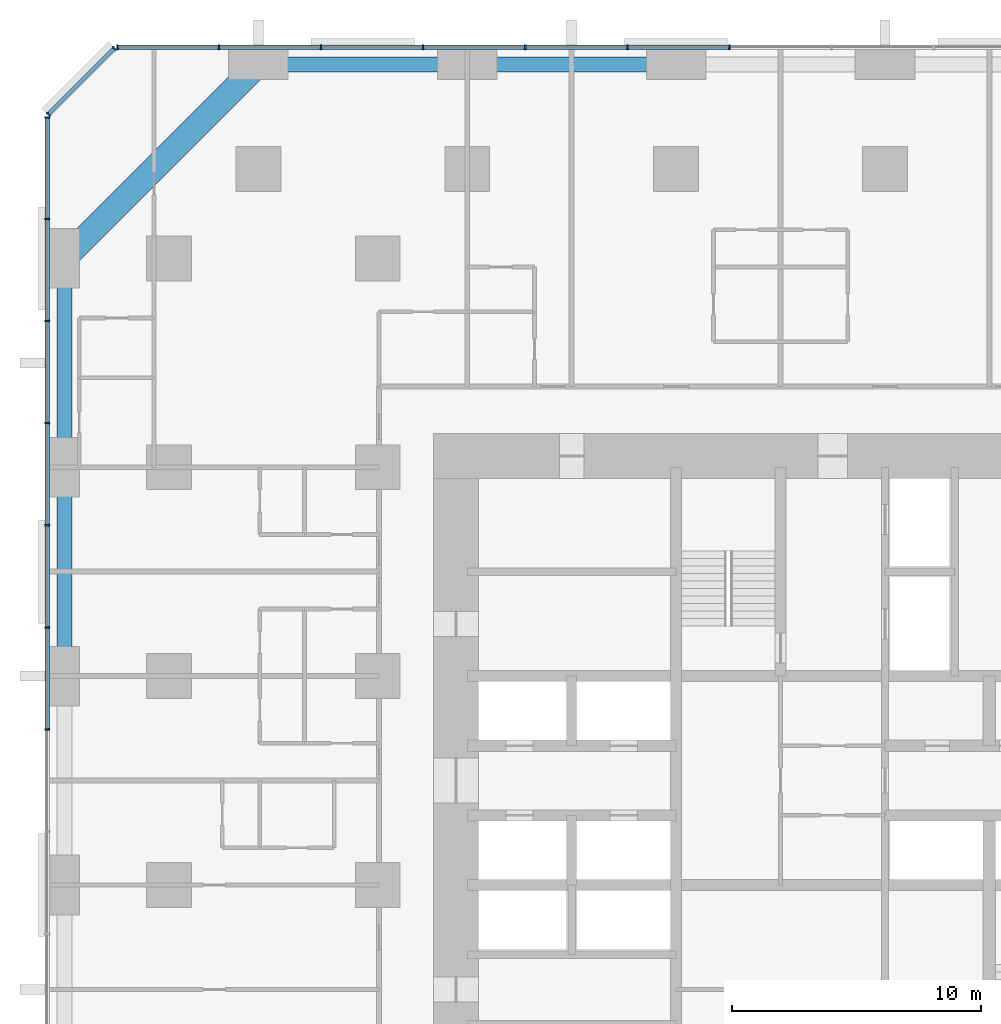
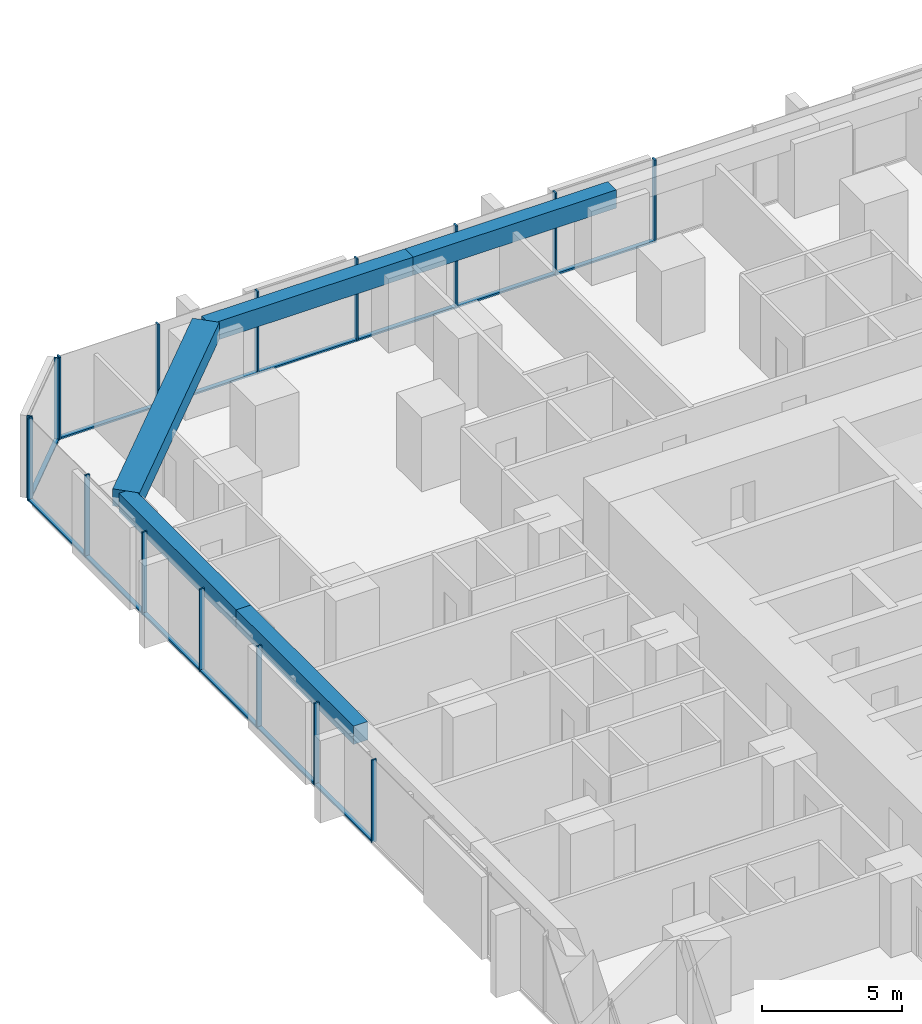
# One storey, part 6 of 17: 29 members, 5 beams, 3 elements without a shape of their own.
"""IFC4 building model written with IfcOpenShell, lengths in metres."""

from ifc_helpers import new_model, si_unit, direction, frame, origin, origin_2d, place, context, subcontext, project, spatial, rectangle, extrude, material, material_profile, profile_set, type_object, element, aggregate, save


model = new_model("IFC4")

# Units and contexts
model_context = context("Model", 3, precision=1e-05, world=origin(), true_north=direction((0.0, 1.0)))
body_context = subcontext(model_context, "Body", "Model", "MODEL_VIEW")
ifc_project = project(units=[si_unit("LENGTHUNIT", "METRE"), si_unit("AREAUNIT", "SQUARE_METRE"), si_unit("VOLUMEUNIT", "CUBIC_METRE"), si_unit("PLANEANGLEUNIT", "RADIAN"), si_unit("MASSUNIT", "GRAM", prefix="KILO")], contexts=[model_context])

# Site, building, storey
site_placement = place(None, origin())
site = spatial("IfcSite", under=ifc_project, at=site_placement, CompositionType="ELEMENT")
building_placement = place(site_placement, origin())
building = spatial("IfcBuilding", under=site, at=building_placement, Name="Dunama Terrace Hotel", CompositionType="ELEMENT")
storey_placement = place(building_placement, frame((0.0, 0.0, 34.199951171875)))
storey = spatial("IfcBuildingStorey", under=building, at=storey_placement, Name="L07", CompositionType="ELEMENT", Elevation=34.199951171875)

# Curtain wall, members
ifc_material_1 = material(Name="Aluminium curtain wall system", Category="aluminium")
curtain_wall_type = type_object("IfcCurtainWallType", Name="Unitised fritted glass wall CW-A", PredefinedType="NOTDEFINED", material=ifc_material_1)
curtain_wall_1_placement = place(storey_placement, origin())
curtain_wall_1 = element("IfcCurtainWall", 1, at=curtain_wall_1_placement, inside=storey, type_object=curtain_wall_type, Name="Unitised fritted glass wall CW-A L07", PredefinedType="NOTDEFINED")
ifc_material_2 = material(Name="Aluminium mullion", Category="aluminium")
ifc_material_profile_1 = material_profile(ifc_material_2, rectangle(XDim=0.06494140625, YDim=0.199951171875, at=origin_2d()), Name="CWA MULLION 65X200")
ifc_profile_set_1 = profile_set([ifc_material_profile_1], Name="Aluminium mullion")
member_type_1 = type_object("IfcMemberType", Name="CWA mullion 65x200", PredefinedType="MULLION", material=ifc_profile_set_1)
member_1_placement = place(storey_placement, frame((27.345947265625, 58.89990234375, 0.0), z_axis=(0.0, 0.0, 1.0), x_axis=(-1.0, 0.0, 0.0)))
member_1 = element("IfcMember", 2, at=member_1_placement, type_object=member_type_1, Name="CWA mullion", PredefinedType="MULLION", context=body_context, shape_type="SweptSolid", body=[
    extrude(rectangle(XDim=0.06494140625, YDim=0.199951171875, at=origin_2d()), origin(), (0.0, 0.0, 1.0), 3.60009765625),
])
member_2_placement = place(storey_placement, frame((23.238037109375, 58.89990234375, 0.0), z_axis=(0.0, 0.0, 1.0), x_axis=(-1.0, 0.0, 0.0)))
member_2 = element("IfcMember", 3, at=member_2_placement, type_object=member_type_1, Name="CWA mullion", PredefinedType="MULLION", context=body_context, shape_type="SweptSolid", body=[
    extrude(rectangle(XDim=0.06494140625, YDim=0.199951171875, at=origin_2d()), origin(), (0.0, 0.0, 1.0), 3.60009765625),
])
member_3_placement = place(storey_placement, frame((19.131103515625, 58.89990234375, 0.0), z_axis=(0.0, 0.0, 1.0), x_axis=(-1.0, 0.0, 0.0)))
member_3 = element("IfcMember", 4, at=member_3_placement, type_object=member_type_1, Name="CWA mullion", PredefinedType="MULLION", context=body_context, shape_type="SweptSolid", body=[
    extrude(rectangle(XDim=0.06494140625, YDim=0.199951171875, at=origin_2d()), origin(), (0.0, 0.0, 1.0), 3.60009765625),
])
member_4_placement = place(storey_placement, frame((15.02294921875, 58.89990234375, 0.0), z_axis=(0.0, 0.0, 1.0), x_axis=(-1.0, 0.0, 0.0)))
member_4 = element("IfcMember", 5, at=member_4_placement, type_object=member_type_1, Name="CWA mullion", PredefinedType="MULLION", context=body_context, shape_type="SweptSolid", body=[
    extrude(rectangle(XDim=0.06494140625, YDim=0.199951171875, at=origin_2d()), origin(), (0.0, 0.0, 1.0), 3.60009765625),
])
member_5_placement = place(storey_placement, frame((10.9150390625, 58.89990234375, 0.0), z_axis=(0.0, 0.0, 1.0), x_axis=(-1.0, 0.0, 0.0)))
member_5 = element("IfcMember", 6, at=member_5_placement, type_object=member_type_1, Name="CWA mullion", PredefinedType="MULLION", context=body_context, shape_type="SweptSolid", body=[
    extrude(rectangle(XDim=0.06494140625, YDim=0.199951171875, at=origin_2d()), origin(), (0.0, 0.0, 1.0), 3.60009765625),
])
member_6_placement = place(storey_placement, frame((6.80810546875, 58.89990234375, 0.0), z_axis=(0.0, 0.0, 1.0), x_axis=(-1.0, 0.0, 0.0)))
member_6 = element("IfcMember", 7, at=member_6_placement, type_object=member_type_1, Name="CWA mullion", PredefinedType="MULLION", context=body_context, shape_type="SweptSolid", body=[
    extrude(rectangle(XDim=0.06494140625, YDim=0.199951171875, at=origin_2d()), origin(), (0.0, 0.0, 1.0), 3.60009765625),
])
member_7_placement = place(storey_placement, frame((2.73291015625, 58.89990234375, 0.0), z_axis=(0.0, 0.0, 1.0), x_axis=(-1.0, 0.0, 0.0)))
member_7 = element("IfcMember", 8, at=member_7_placement, type_object=member_type_1, Name="CWA mullion", PredefinedType="MULLION", context=body_context, shape_type="SweptSolid", body=[
    extrude(rectangle(XDim=0.06494140625, YDim=0.199951171875, at=origin_2d()), origin(), (0.0, 0.0, 1.0), 3.60009765625),
])

curtain_wall_2_placement = place(storey_placement, origin())
curtain_wall_2 = element("IfcCurtainWall", 9, at=curtain_wall_2_placement, inside=storey, type_object=curtain_wall_type, Name="Unitised fritted glass wall CW-A L07", PredefinedType="NOTDEFINED")
member_8_placement = place(storey_placement, frame((2.60595703125, 58.847900390625, 0.0), z_axis=(0.0, 0.0, 1.0), x_axis=(-0.707106781187, -0.707106781187, 0.0)))
member_8 = element("IfcMember", 10, at=member_8_placement, type_object=member_type_1, Name="CWA mullion", PredefinedType="MULLION", context=body_context, shape_type="SweptSolid", body=[
    extrude(rectangle(XDim=0.06494140625, YDim=0.199951171875, at=origin_2d()), origin(), (0.0, 0.0, 1.0), 3.60009765625),
])
member_9_placement = place(storey_placement, frame((-0.048095703125, 56.194091796875, 0.0), z_axis=(0.0, 0.0, 1.0), x_axis=(-0.707106781187, -0.707106781187, 0.0)))
member_9 = element("IfcMember", 11, at=member_9_placement, type_object=member_type_1, Name="CWA mullion", PredefinedType="MULLION", context=body_context, shape_type="SweptSolid", body=[
    extrude(rectangle(XDim=0.06494140625, YDim=0.199951171875, at=origin_2d()), origin(), (0.0, 0.0, 1.0), 3.60009765625),
])

curtain_wall_3_placement = place(storey_placement, origin())
curtain_wall_3 = element("IfcCurtainWall", 12, at=curtain_wall_3_placement, inside=storey, type_object=curtain_wall_type, Name="Unitised fritted glass wall CW-A L07", PredefinedType="NOTDEFINED")
member_10_placement = place(storey_placement, frame((-0.10009765625, 56.06689453125, 0.0), z_axis=(0.0, 0.0, 1.0), x_axis=(0.0, -1.0, 0.0)))
member_10 = element("IfcMember", 13, at=member_10_placement, type_object=member_type_1, Name="CWA mullion", PredefinedType="MULLION", context=body_context, shape_type="SweptSolid", body=[
    extrude(rectangle(XDim=0.06494140625, YDim=0.199951171875, at=origin_2d()), origin(), (0.0, 0.0, 1.0), 3.60009765625),
])
member_11_placement = place(storey_placement, frame((-0.10009765625, 51.991943359375, 0.0), z_axis=(0.0, 0.0, 1.0), x_axis=(0.0, -1.0, 0.0)))
member_11 = element("IfcMember", 14, at=member_11_placement, type_object=member_type_1, Name="CWA mullion", PredefinedType="MULLION", context=body_context, shape_type="SweptSolid", body=[
    extrude(rectangle(XDim=0.06494140625, YDim=0.199951171875, at=origin_2d()), origin(), (0.0, 0.0, 1.0), 3.60009765625),
])
member_12_placement = place(storey_placement, frame((-0.10009765625, 47.885009765625, 0.0), z_axis=(0.0, 0.0, 1.0), x_axis=(0.0, -1.0, 0.0)))
member_12 = element("IfcMember", 15, at=member_12_placement, type_object=member_type_1, Name="CWA mullion", PredefinedType="MULLION", context=body_context, shape_type="SweptSolid", body=[
    extrude(rectangle(XDim=0.06494140625, YDim=0.199951171875, at=origin_2d()), origin(), (0.0, 0.0, 1.0), 3.60009765625),
])
member_13_placement = place(storey_placement, frame((-0.10009765625, 43.777099609375, 0.0), z_axis=(0.0, 0.0, 1.0), x_axis=(0.0, -1.0, 0.0)))
member_13 = element("IfcMember", 16, at=member_13_placement, type_object=member_type_1, Name="CWA mullion", PredefinedType="MULLION", context=body_context, shape_type="SweptSolid", body=[
    extrude(rectangle(XDim=0.06494140625, YDim=0.199951171875, at=origin_2d()), origin(), (0.0, 0.0, 1.0), 3.60009765625),
])
member_14_placement = place(storey_placement, frame((-0.10009765625, 39.6689453125, 0.0), z_axis=(0.0, 0.0, 1.0), x_axis=(0.0, -1.0, 0.0)))
member_14 = element("IfcMember", 17, at=member_14_placement, type_object=member_type_1, Name="CWA mullion", PredefinedType="MULLION", context=body_context, shape_type="SweptSolid", body=[
    extrude(rectangle(XDim=0.06494140625, YDim=0.199951171875, at=origin_2d()), origin(), (0.0, 0.0, 1.0), 3.60009765625),
])
member_15_placement = place(storey_placement, frame((-0.10009765625, 35.56201171875, 0.0), z_axis=(0.0, 0.0, 1.0), x_axis=(0.0, -1.0, 0.0)))
member_15 = element("IfcMember", 18, at=member_15_placement, type_object=member_type_1, Name="CWA mullion", PredefinedType="MULLION", context=body_context, shape_type="SweptSolid", body=[
    extrude(rectangle(XDim=0.06494140625, YDim=0.199951171875, at=origin_2d()), origin(), (0.0, 0.0, 1.0), 3.60009765625),
])
member_16_placement = place(storey_placement, frame((-0.10009765625, 31.4541015625, 0.0), z_axis=(0.0, 0.0, 1.0), x_axis=(0.0, -1.0, 0.0)))
member_16 = element("IfcMember", 19, at=member_16_placement, type_object=member_type_1, Name="CWA mullion", PredefinedType="MULLION", context=body_context, shape_type="SweptSolid", body=[
    extrude(rectangle(XDim=0.06494140625, YDim=0.199951171875, at=origin_2d()), origin(), (0.0, 0.0, 1.0), 3.60009765625),
])

# Member
ifc_material_3 = material(Name="Aluminium transom", Category="aluminium")
ifc_material_profile_2 = material_profile(ifc_material_3, rectangle(XDim=0.179931640625, YDim=0.074951171875, at=origin_2d()), Name="CWA TRANSOM 180X75")
ifc_profile_set_2 = profile_set([ifc_material_profile_2], Name="Aluminium transom")
member_type_2 = type_object("IfcMemberType", Name="CWA transom 180x75", PredefinedType="USERDEFINED", material=ifc_profile_set_2)
member_17_placement = place(storey_placement, frame((27.31396484375, 58.89990234375, 0.03759765625), z_axis=(-1.0, 0.0, 0.0), x_axis=(0.0, -1.0, 0.0)))
member_17 = element("IfcMember", 20, at=member_17_placement, type_object=member_type_2, Name="CWA transom", ObjectType="TRANSOM", PredefinedType="USERDEFINED", context=body_context, shape_type="SweptSolid", body=[
    extrude(rectangle(XDim=0.179931640625, YDim=0.074951171875, at=origin_2d()), origin(), (0.0, 0.0, 1.0), 4.04296875),
])

member_18_placement = place(storey_placement, frame((23.2060546875, 58.89990234375, 0.03759765625), z_axis=(-1.0, 0.0, 0.0), x_axis=(0.0, -1.0, 0.0)))
member_18 = element("IfcMember", 21, at=member_18_placement, type_object=member_type_2, Name="CWA transom", ObjectType="TRANSOM", PredefinedType="USERDEFINED", context=body_context, shape_type="SweptSolid", body=[
    extrude(rectangle(XDim=0.179931640625, YDim=0.074951171875, at=origin_2d()), origin(), (0.0, 0.0, 1.0), 4.04296875),
])

member_19_placement = place(storey_placement, frame((19.097900390625, 58.89990234375, 0.03759765625), z_axis=(-1.0, 0.0, 0.0), x_axis=(0.0, -1.0, 0.0)))
member_19 = element("IfcMember", 22, at=member_19_placement, type_object=member_type_2, Name="CWA transom", ObjectType="TRANSOM", PredefinedType="USERDEFINED", context=body_context, shape_type="SweptSolid", body=[
    extrude(rectangle(XDim=0.179931640625, YDim=0.074951171875, at=origin_2d()), origin(), (0.0, 0.0, 1.0), 4.0419921875),
])

member_20_placement = place(storey_placement, frame((14.990966796875, 58.89990234375, 0.03759765625), z_axis=(-1.0, 0.0, 0.0), x_axis=(0.0, -1.0, 0.0)))
member_20 = element("IfcMember", 23, at=member_20_placement, type_object=member_type_2, Name="CWA transom", ObjectType="TRANSOM", PredefinedType="USERDEFINED", context=body_context, shape_type="SweptSolid", body=[
    extrude(rectangle(XDim=0.179931640625, YDim=0.074951171875, at=origin_2d()), origin(), (0.0, 0.0, 1.0), 4.04296875),
])

member_21_placement = place(storey_placement, frame((10.883056640625, 58.89990234375, 0.03759765625), z_axis=(-1.0, 0.0, 0.0), x_axis=(0.0, -1.0, 0.0)))
member_21 = element("IfcMember", 24, at=member_21_placement, type_object=member_type_2, Name="CWA transom", ObjectType="TRANSOM", PredefinedType="USERDEFINED", context=body_context, shape_type="SweptSolid", body=[
    extrude(rectangle(XDim=0.179931640625, YDim=0.074951171875, at=origin_2d()), origin(), (0.0, 0.0, 1.0), 4.04296875),
])

member_22_placement = place(storey_placement, frame((6.77490234375, 58.89990234375, 0.03759765625), z_axis=(-1.0, 0.0, 0.0), x_axis=(0.0, -1.0, 0.0)))
member_22 = element("IfcMember", 25, at=member_22_placement, type_object=member_type_2, Name="CWA transom", ObjectType="TRANSOM", PredefinedType="USERDEFINED", context=body_context, shape_type="SweptSolid", body=[
    extrude(rectangle(XDim=0.179931640625, YDim=0.074951171875, at=origin_2d()), origin(), (0.0, 0.0, 1.0), 4.010009765625),
])

aggregate(curtain_wall_1, [member_1, member_2, member_3, member_4, member_5, member_6, member_7, member_17, member_18, member_19, member_20, member_21, member_22])

member_23_placement = place(storey_placement, frame((2.5830078125, 58.824951171875, 0.03759765625), z_axis=(-0.707106781187, -0.707106781187, 0.0), x_axis=(0.707106781187, -0.707106781187, 0.0)))
member_23 = element("IfcMember", 26, at=member_23_placement, type_object=member_type_2, Name="CWA transom", ObjectType="TRANSOM", PredefinedType="USERDEFINED", context=body_context, shape_type="SweptSolid", body=[
    extrude(rectangle(XDim=0.179931640625, YDim=0.074951171875, at=origin_2d()), origin(), (0.0, 0.0, 1.0), 3.688232421875),
])

aggregate(curtain_wall_2, [member_8, member_9, member_23])

member_24_placement = place(storey_placement, frame((-0.10009765625, 56.034912109375, 0.03759765625), z_axis=(0.0, -1.0, 0.0), x_axis=(1.0, 0.0, 0.0)))
member_24 = element("IfcMember", 27, at=member_24_placement, type_object=member_type_2, Name="CWA transom", ObjectType="TRANSOM", PredefinedType="USERDEFINED", context=body_context, shape_type="SweptSolid", body=[
    extrude(rectangle(XDim=0.179931640625, YDim=0.074951171875, at=origin_2d()), origin(), (0.0, 0.0, 1.0), 4.010009765625),
])

member_25_placement = place(storey_placement, frame((-0.10009765625, 51.9599609375, 0.03759765625), z_axis=(0.0, -1.0, 0.0), x_axis=(1.0, 0.0, 0.0)))
member_25 = element("IfcMember", 28, at=member_25_placement, type_object=member_type_2, Name="CWA transom", ObjectType="TRANSOM", PredefinedType="USERDEFINED", context=body_context, shape_type="SweptSolid", body=[
    extrude(rectangle(XDim=0.179931640625, YDim=0.074951171875, at=origin_2d()), origin(), (0.0, 0.0, 1.0), 4.04296875),
])

member_26_placement = place(storey_placement, frame((-0.10009765625, 47.85205078125, 0.03759765625), z_axis=(0.0, -1.0, 0.0), x_axis=(1.0, 0.0, 0.0)))
member_26 = element("IfcMember", 29, at=member_26_placement, type_object=member_type_2, Name="CWA transom", ObjectType="TRANSOM", PredefinedType="USERDEFINED", context=body_context, shape_type="SweptSolid", body=[
    extrude(rectangle(XDim=0.179931640625, YDim=0.074951171875, at=origin_2d()), origin(), (0.0, 0.0, 1.0), 4.04296875),
])

member_27_placement = place(storey_placement, frame((-0.10009765625, 43.743896484375, 0.03759765625), z_axis=(0.0, -1.0, 0.0), x_axis=(1.0, 0.0, 0.0)))
member_27 = element("IfcMember", 30, at=member_27_placement, type_object=member_type_2, Name="CWA transom", ObjectType="TRANSOM", PredefinedType="USERDEFINED", context=body_context, shape_type="SweptSolid", body=[
    extrude(rectangle(XDim=0.179931640625, YDim=0.074951171875, at=origin_2d()), origin(), (0.0, 0.0, 1.0), 4.0419921875),
])

member_28_placement = place(storey_placement, frame((-0.10009765625, 39.636962890625, 0.03759765625), z_axis=(0.0, -1.0, 0.0), x_axis=(1.0, 0.0, 0.0)))
member_28 = element("IfcMember", 31, at=member_28_placement, type_object=member_type_2, Name="CWA transom", ObjectType="TRANSOM", PredefinedType="USERDEFINED", context=body_context, shape_type="SweptSolid", body=[
    extrude(rectangle(XDim=0.179931640625, YDim=0.074951171875, at=origin_2d()), origin(), (0.0, 0.0, 1.0), 4.04296875),
])

member_29_placement = place(storey_placement, frame((-0.10009765625, 35.529052734375, 0.03759765625), z_axis=(0.0, -1.0, 0.0), x_axis=(1.0, 0.0, 0.0)))
member_29 = element("IfcMember", 32, at=member_29_placement, type_object=member_type_2, Name="CWA transom", ObjectType="TRANSOM", PredefinedType="USERDEFINED", context=body_context, shape_type="SweptSolid", body=[
    extrude(rectangle(XDim=0.179931640625, YDim=0.074951171875, at=origin_2d()), origin(), (0.0, 0.0, 1.0), 4.04296875),
])

aggregate(curtain_wall_3, [member_10, member_11, member_12, member_13, member_14, member_15, member_16, member_24, member_25, member_26, member_27, member_28, member_29])

# Beams
ifc_material_4 = material(Name="Concrete C50/60", Category="concrete")
ifc_material_profile_3 = material_profile(ifc_material_4, rectangle(XDim=1.0, YDim=0.75, at=origin_2d()), Name="RC 1000x750")
ifc_profile_set_3 = profile_set([ifc_material_profile_3], Name="Concrete C50/60")
beam_type_1 = type_object("IfcBeamType", Name="Edge beam RC 1000x750", PredefinedType="SPANDREL", material=ifc_profile_set_3)
beam_1_placement = place(storey_placement, frame((8.39990234375, 58.199951171875, 3.22509765625), z_axis=(-0.707095714747, -0.707117847453, 0.0), x_axis=(0.707117847453, -0.707095714747, 0.0)))
element("IfcBeam", 33, at=beam_1_placement, inside=storey, type_object=beam_type_1, Name="Corner edge beam under L08", PredefinedType="SPANDREL", context=body_context, shape_type="SweptSolid", body=[
    extrude(rectangle(XDim=1.0, YDim=0.75, at=origin_2d()), origin(), (0.0, 0.0, 1.0), 11.03076171875),
])
ifc_material_5 = material(Name="Concrete C40/50", Category="concrete")
ifc_material_profile_4 = material_profile(ifc_material_5, rectangle(XDim=0.60009765625, YDim=0.800048828125, at=origin_2d()), Name="RC 600x800")
ifc_profile_set_4 = profile_set([ifc_material_profile_4], Name="Concrete C40/50")
beam_type_2 = type_object("IfcBeamType", Name="Edge beam RC 600x800", PredefinedType="SPANDREL", material=ifc_profile_set_4)
for number, where, z_axis, x_axis, name in (
    (34, (0.60009765625, 33.60009765625, 3.199951171875), (0.0, 1.0, 0.0), (-1.0, 0.0, 0.0), "Edge beam under L08"),
    (35, (0.60009765625, 42.0, 3.199951171875), (0.0, 1.0, 0.0), (-1.0, 0.0, 0.0), "Edge beam under L08"),
):
    element("IfcBeam", number, at=place(storey_placement, frame(where, z_axis=z_axis, x_axis=x_axis)), inside=storey, type_object=beam_type_2, Name=name, PredefinedType="SPANDREL", context=body_context, shape_type="SweptSolid", body=[
        extrude(rectangle(XDim=0.60009765625, YDim=0.800048828125, at=origin_2d()), origin(), (0.0, 0.0, 1.0), 8.39990234375),
    ])
beam_2_placement = place(storey_placement, frame((8.39990234375, 58.199951171875, 3.199951171875), z_axis=(1.0, 0.0, 0.0), x_axis=(0.0, 1.0, 0.0)))
element("IfcBeam", 36, at=beam_2_placement, inside=storey, type_object=beam_type_2, Name="Edge beam under L08", PredefinedType="SPANDREL", context=body_context, shape_type="SweptSolid", body=[
    extrude(rectangle(XDim=0.60009765625, YDim=0.800048828125, at=origin_2d()), origin(), (0.0, 0.0, 1.0), 8.400146484375),
])
beam_3_placement = place(storey_placement, frame((16.800048828125, 58.199951171875, 3.199951171875), z_axis=(1.0, 0.0, 0.0), x_axis=(0.0, 1.0, 0.0)))
element("IfcBeam", 37, at=beam_3_placement, inside=storey, type_object=beam_type_2, Name="Edge beam under L08", PredefinedType="SPANDREL", context=body_context, shape_type="SweptSolid", body=[
    extrude(rectangle(XDim=0.60009765625, YDim=0.800048828125, at=origin_2d()), origin(), (0.0, 0.0, 1.0), 8.39990234375),
])

save(model, "model.ifc")
